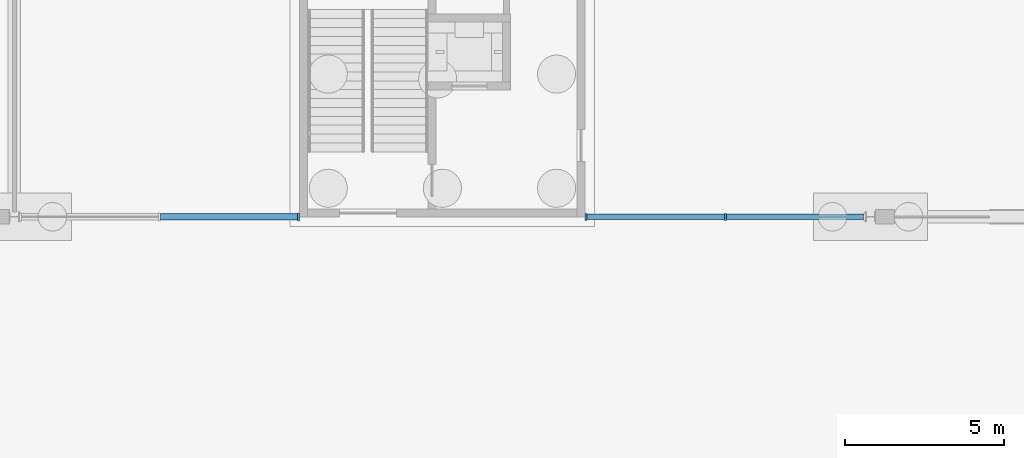
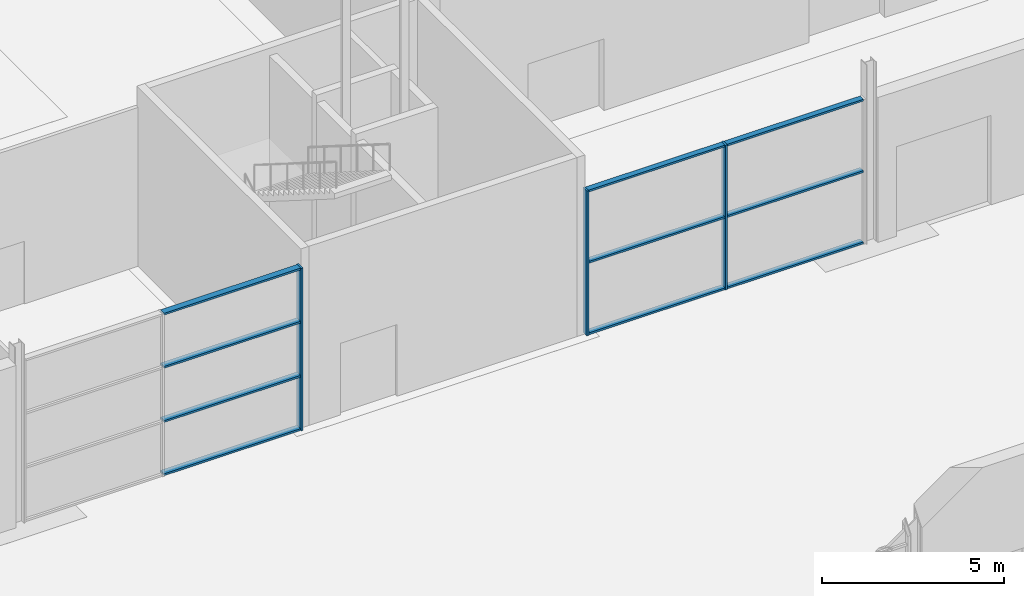
# One storey, part 38 of 97: 13 members, 2 elements without a shape of their own.
"""IFC4 building model written with IfcOpenShell, lengths in metres."""

from ifc_helpers import new_model, si_unit, direction, frame, origin, origin_2d, place, context, subcontext, project, spatial, rectangle, extrude, material, layer, layer_set, material_profile, profile_set, type_object, element, aggregate, save


model = new_model("IFC4")

# Units and contexts
model_context = context("Model", 3, precision=1e-05, world=origin(), true_north=direction((0.0, 1.0)))
body_context = subcontext(model_context, "Body", "Model", "MODEL_VIEW")
ifc_project = project(units=[si_unit("LENGTHUNIT", "METRE"), si_unit("AREAUNIT", "SQUARE_METRE"), si_unit("VOLUMEUNIT", "CUBIC_METRE"), si_unit("PLANEANGLEUNIT", "RADIAN"), si_unit("MASSUNIT", "GRAM", prefix="KILO")], contexts=[model_context])

# Site, building, storey
site_placement = place(None, origin())
site = spatial("IfcSite", under=ifc_project, at=site_placement, CompositionType="ELEMENT")
building_placement = place(site_placement, origin())
building = spatial("IfcBuilding", under=site, at=building_placement, Name="Corbel Yard City Hall", CompositionType="ELEMENT")
storey_placement = place(building_placement, origin())
storey = spatial("IfcBuildingStorey", under=building, at=storey_placement, Name="L00", CompositionType="ELEMENT", Elevation=0.0)

# Curtain wall, member
ifc_material = material(Name="Aluminium extrusion", Category="aluminium")
ifc_layer_1 = layer(ifc_material, 0.25)
ifc_layer_set_1 = layer_set([ifc_layer_1], Name="Aluminium extrusion")
curtain_wall_type_1 = type_object("IfcCurtainWallType", Name="CW4", PredefinedType="USERDEFINED", material=ifc_layer_set_1)
curtain_wall_1_placement = place(storey_placement, origin())
curtain_wall_1 = element("IfcCurtainWall", 1, at=curtain_wall_1_placement, inside=storey, type_object=curtain_wall_type_1, Name="Curtain wall CW4 L00", ObjectType="CURTAIN WALL", PredefinedType="USERDEFINED")
ifc_material_profile_1 = material_profile(ifc_material, rectangle(XDim=0.25, YDim=0.06494140625, at=origin_2d()), Name="250x65")
ifc_profile_set_1 = profile_set([ifc_material_profile_1], Name="Aluminium extrusion")
member_type_1 = type_object("IfcMemberType", Name="ML4", PredefinedType="MULLION", material=ifc_profile_set_1)
member_1_placement = place(storey_placement, frame((107.967529296875, 45.0, 0.0), z_axis=(0.0, 0.0, 1.0), x_axis=(0.0, 1.0, 0.0)))
member_1 = element("IfcMember", 2, at=member_1_placement, type_object=member_type_1, Name="CW4 mullion 3", PredefinedType="MULLION", context=body_context, shape_type="SweptSolid", body=[
    extrude(rectangle(XDim=0.25, YDim=0.06494140625, at=origin_2d()), origin(), (0.0, 0.0, 1.0), 5.444091796875),
])

# Curtain wall, members
ifc_layer_2 = layer(ifc_material, 0.219970703125)
ifc_layer_set_2 = layer_set([ifc_layer_2], Name="Aluminium extrusion")
curtain_wall_type_2 = type_object("IfcCurtainWallType", Name="CW5", PredefinedType="USERDEFINED", material=ifc_layer_set_2)
curtain_wall_2_placement = place(storey_placement, origin())
curtain_wall_2 = element("IfcCurtainWall", 3, at=curtain_wall_2_placement, inside=storey, type_object=curtain_wall_type_2, Name="Curtain wall CW5 L00", ObjectType="CURTAIN WALL", PredefinedType="USERDEFINED")
ifc_material_profile_2 = material_profile(ifc_material, rectangle(XDim=0.219970703125, YDim=0.06494140625, at=origin_2d()), Name="220x65")
ifc_profile_set_2 = profile_set([ifc_material_profile_2], Name="Aluminium extrusion")
member_type_2 = type_object("IfcMemberType", Name="ML5", PredefinedType="MULLION", material=ifc_profile_set_2)
member_2_placement = place(storey_placement, frame((117.032470703125, 45.0, 0.0), z_axis=(0.0, 0.0, 1.0), x_axis=(0.0, 1.0, 0.0)))
member_2 = element("IfcMember", 4, at=member_2_placement, type_object=member_type_2, Name="CW5 mullion 1", PredefinedType="MULLION", context=body_context, shape_type="SweptSolid", body=[
    extrude(rectangle(XDim=0.219970703125, YDim=0.06494140625, at=origin_2d()), origin(), (0.0, 0.0, 1.0), 4.85009765625),
])
member_3_placement = place(storey_placement, frame((121.421142578125, 45.0, 0.0), z_axis=(0.0, 0.0, 1.0), x_axis=(0.0, 1.0, 0.0)))
member_3 = element("IfcMember", 5, at=member_3_placement, type_object=member_type_2, Name="CW5 mullion 2", PredefinedType="MULLION", context=body_context, shape_type="SweptSolid", body=[
    extrude(rectangle(XDim=0.219970703125, YDim=0.06494140625, at=origin_2d()), origin(), (0.0, 0.0, 1.0), 4.85009765625),
])

# Member
ifc_material_profile_3 = material_profile(ifc_material, rectangle(XDim=0.199951171875, YDim=0.06494140625, at=origin_2d()), Name="200x65")
ifc_profile_set_3 = profile_set([ifc_material_profile_3], Name="Aluminium extrusion")
member_type_3 = type_object("IfcMemberType", Name="TR4", PredefinedType="USERDEFINED", material=ifc_profile_set_3)
member_4_placement = place(storey_placement, frame((103.611328125, 45.0, 0.032470703125), z_axis=(1.0, 0.0, 0.0), x_axis=(0.0, 1.0, 0.0)))
member_4 = element("IfcMember", 6, at=member_4_placement, type_object=member_type_3, Name="CW4 transom 2.1", ObjectType="TRANSOM", PredefinedType="USERDEFINED", context=body_context, shape_type="SweptSolid", body=[
    extrude(rectangle(XDim=0.199951171875, YDim=0.06494140625, at=origin_2d()), origin(), (0.0, 0.0, 1.0), 4.32373046875),
])

member_5_placement = place(storey_placement, frame((103.611328125, 45.0, 1.814697265625), z_axis=(1.0, 0.0, 0.0), x_axis=(0.0, 1.0, 0.0)))
member_5 = element("IfcMember", 7, at=member_5_placement, type_object=member_type_3, Name="CW4 transom 2.2", ObjectType="TRANSOM", PredefinedType="USERDEFINED", context=body_context, shape_type="SweptSolid", body=[
    extrude(rectangle(XDim=0.199951171875, YDim=0.06494140625, at=origin_2d()), origin(), (0.0, 0.0, 1.0), 4.32373046875),
])

member_6_placement = place(storey_placement, frame((103.611328125, 45.0, 3.62939453125), z_axis=(1.0, 0.0, 0.0), x_axis=(0.0, 1.0, 0.0)))
member_6 = element("IfcMember", 8, at=member_6_placement, type_object=member_type_3, Name="CW4 transom 2.3", ObjectType="TRANSOM", PredefinedType="USERDEFINED", context=body_context, shape_type="SweptSolid", body=[
    extrude(rectangle(XDim=0.199951171875, YDim=0.06494140625, at=origin_2d()), origin(), (0.0, 0.0, 1.0), 4.32373046875),
])

member_7_placement = place(storey_placement, frame((103.611328125, 45.0, 5.41162109375), z_axis=(1.0, 0.0, 0.0), x_axis=(0.0, 1.0, 0.0)))
member_7 = element("IfcMember", 9, at=member_7_placement, type_object=member_type_3, Name="CW4 transom 2.4", ObjectType="TRANSOM", PredefinedType="USERDEFINED", context=body_context, shape_type="SweptSolid", body=[
    extrude(rectangle(XDim=0.199951171875, YDim=0.06494140625, at=origin_2d()), origin(), (0.0, 0.0, 1.0), 4.32373046875),
])

aggregate(curtain_wall_1, [member_1, member_4, member_5, member_6, member_7])

ifc_material_profile_4 = material_profile(ifc_material, rectangle(XDim=0.179931640625, YDim=0.06494140625, at=origin_2d()), Name="180x65")
ifc_profile_set_4 = profile_set([ifc_material_profile_4], Name="Aluminium extrusion")
member_type_4 = type_object("IfcMemberType", Name="TR5", PredefinedType="USERDEFINED", material=ifc_profile_set_4)
member_8_placement = place(storey_placement, frame((117.06494140625, 45.0, 0.032470703125), z_axis=(1.0, 0.0, 0.0), x_axis=(0.0, 1.0, 0.0)))
member_8 = element("IfcMember", 10, at=member_8_placement, type_object=member_type_4, Name="CW5 transom 1.1", ObjectType="TRANSOM", PredefinedType="USERDEFINED", context=body_context, shape_type="SweptSolid", body=[
    extrude(rectangle(XDim=0.179931640625, YDim=0.06494140625, at=origin_2d()), origin(), (0.0, 0.0, 1.0), 4.32373046875),
])

member_9_placement = place(storey_placement, frame((117.06494140625, 45.0, 2.425048828125), z_axis=(1.0, 0.0, 0.0), x_axis=(0.0, 1.0, 0.0)))
member_9 = element("IfcMember", 11, at=member_9_placement, type_object=member_type_4, Name="CW5 transom 1.2", ObjectType="TRANSOM", PredefinedType="USERDEFINED", context=body_context, shape_type="SweptSolid", body=[
    extrude(rectangle(XDim=0.179931640625, YDim=0.06494140625, at=origin_2d()), origin(), (0.0, 0.0, 1.0), 4.32373046875),
])

member_10_placement = place(storey_placement, frame((117.06494140625, 45.0, 4.8173828125), z_axis=(1.0, 0.0, 0.0), x_axis=(0.0, 1.0, 0.0)))
member_10 = element("IfcMember", 12, at=member_10_placement, type_object=member_type_4, Name="CW5 transom 1.3", ObjectType="TRANSOM", PredefinedType="USERDEFINED", context=body_context, shape_type="SweptSolid", body=[
    extrude(rectangle(XDim=0.179931640625, YDim=0.06494140625, at=origin_2d()), origin(), (0.0, 0.0, 1.0), 4.32373046875),
])

member_11_placement = place(storey_placement, frame((121.453857421875, 45.0, 0.032470703125), z_axis=(1.0, 0.0, 0.0), x_axis=(0.0, 1.0, 0.0)))
member_11 = element("IfcMember", 13, at=member_11_placement, type_object=member_type_4, Name="CW5 transom 2.1", ObjectType="TRANSOM", PredefinedType="USERDEFINED", context=body_context, shape_type="SweptSolid", body=[
    extrude(rectangle(XDim=0.179931640625, YDim=0.06494140625, at=origin_2d()), origin(), (0.0, 0.0, 1.0), 4.32373046875),
])

member_12_placement = place(storey_placement, frame((121.453857421875, 45.0, 2.425048828125), z_axis=(1.0, 0.0, 0.0), x_axis=(0.0, 1.0, 0.0)))
member_12 = element("IfcMember", 14, at=member_12_placement, type_object=member_type_4, Name="CW5 transom 2.2", ObjectType="TRANSOM", PredefinedType="USERDEFINED", context=body_context, shape_type="SweptSolid", body=[
    extrude(rectangle(XDim=0.179931640625, YDim=0.06494140625, at=origin_2d()), origin(), (0.0, 0.0, 1.0), 4.32373046875),
])

member_13_placement = place(storey_placement, frame((121.453857421875, 45.0, 4.8173828125), z_axis=(1.0, 0.0, 0.0), x_axis=(0.0, 1.0, 0.0)))
member_13 = element("IfcMember", 15, at=member_13_placement, type_object=member_type_4, Name="CW5 transom 2.3", ObjectType="TRANSOM", PredefinedType="USERDEFINED", context=body_context, shape_type="SweptSolid", body=[
    extrude(rectangle(XDim=0.179931640625, YDim=0.06494140625, at=origin_2d()), origin(), (0.0, 0.0, 1.0), 4.32373046875),
])

aggregate(curtain_wall_2, [member_2, member_3, member_8, member_9, member_10, member_11, member_12, member_13])

save(model, "model.ifc")
